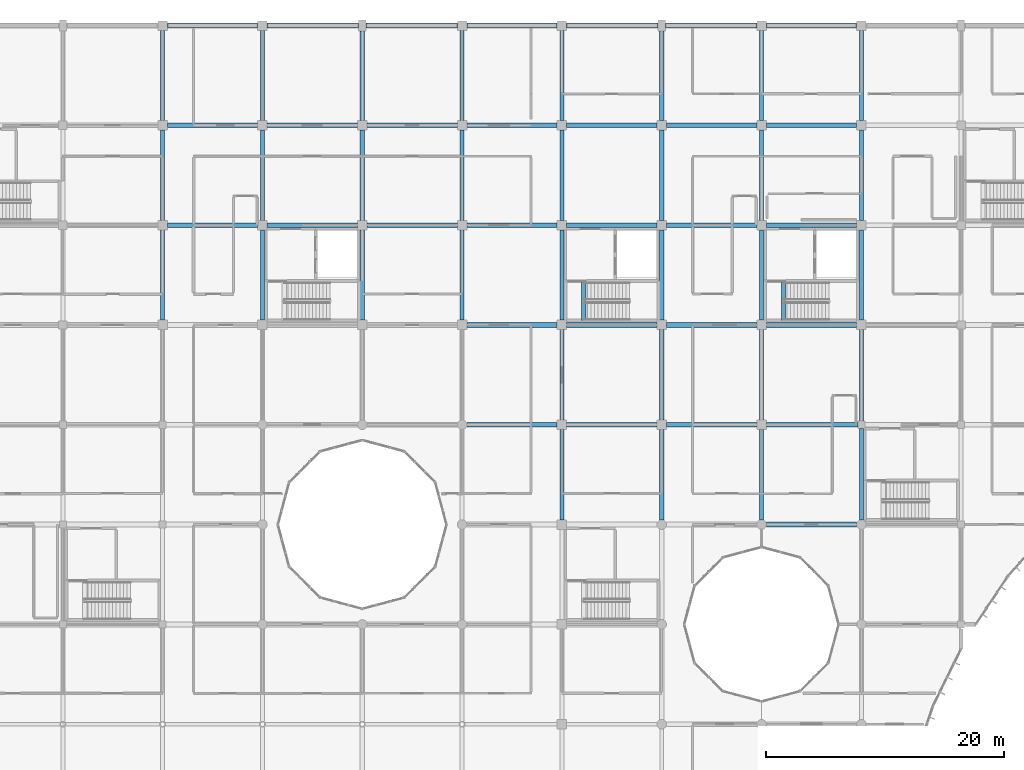
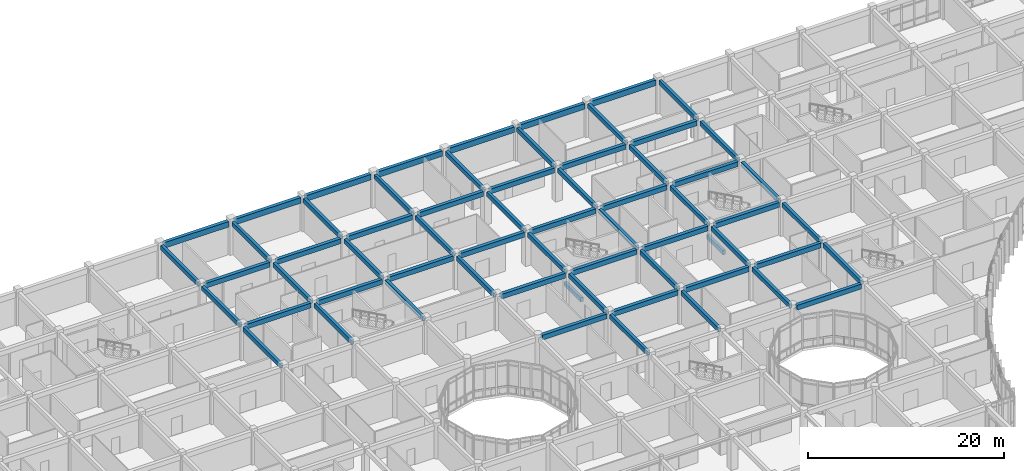
# One storey, part 56 of 144: 64 beams.
"""IFC4 building model written with IfcOpenShell, lengths in metres."""

from ifc_helpers import new_model, si_unit, direction, frame, origin, origin_2d, place, context, subcontext, project, spatial, rectangle, extrude, material, material_profile, profile_set, type_object, element, save


model = new_model("IFC4")

# Units and contexts
model_context = context("Model", 3, precision=1e-05, world=origin(), true_north=direction((0.0, 1.0)))
body_context = subcontext(model_context, "Body", "Model", "MODEL_VIEW")
ifc_project = project(units=[si_unit("LENGTHUNIT", "METRE"), si_unit("AREAUNIT", "SQUARE_METRE"), si_unit("VOLUMEUNIT", "CUBIC_METRE"), si_unit("PLANEANGLEUNIT", "RADIAN"), si_unit("MASSUNIT", "GRAM", prefix="KILO")], contexts=[model_context])

# Site, building, storey
site_placement = place(None, origin())
site = spatial("IfcSite", under=ifc_project, at=site_placement, CompositionType="ELEMENT")
building_placement = place(site_placement, origin())
building = spatial("IfcBuilding", under=site, at=building_placement, Name="Bramfleet General Hospital", CompositionType="ELEMENT")
storey_placement = place(building_placement, frame((0.0, 0.0, 4.800048828125)))
storey = spatial("IfcBuildingStorey", under=building, at=storey_placement, Name="L01", CompositionType="ELEMENT", Elevation=4.800048828125)

# Beams
ifc_material = material(Name="Concrete C35/45", Category="concrete")
ifc_material_profile_1 = material_profile(ifc_material, rectangle(XDim=0.35009765625, YDim=0.550048828125, at=origin_2d()), Name="RC BM 550x350")
ifc_profile_set_1 = profile_set([ifc_material_profile_1], Name="Concrete C35/45")
beam_type_1 = type_object("IfcBeamType", Name="BM-RC550", PredefinedType="BEAM", material=ifc_profile_set_1)
beam_1_placement = place(storey_placement, frame((67.199951171875, 92.800048828125, 3.875), z_axis=(0.0, 1.0, 0.0), x_axis=(-1.0, 0.0, 0.0)))
element("IfcBeam", 1, at=beam_1_placement, inside=storey, type_object=beam_type_1, Name="L01 Grid Beam Y 08-11", PredefinedType="BEAM", context=body_context, shape_type="SweptSolid", body=[
    extrude(rectangle(XDim=0.35009765625, YDim=0.550048828125, at=origin_2d()), origin(), (0.0, 0.0, 1.0), 7.599853515625),
])
beam_2_placement = place(storey_placement, frame((67.199951171875, 101.199951171875, 3.875), z_axis=(0.0, 1.0, 0.0), x_axis=(-1.0, 0.0, 0.0)))
element("IfcBeam", 2, at=beam_2_placement, inside=storey, type_object=beam_type_1, Name="L01 Grid Beam Y 08-12", PredefinedType="BEAM", context=body_context, shape_type="SweptSolid", body=[
    extrude(rectangle(XDim=0.35009765625, YDim=0.550048828125, at=origin_2d()), origin(), (0.0, 0.0, 1.0), 7.60009765625),
])
for number, where, z_axis, x_axis, name in (
    (3, (67.199951171875, 109.60009765625, 3.875), (0.0, 1.0, 0.0), (-1.0, 0.0, 0.0), "L01 Grid Beam Y 08-13"),
    (4, (75.60009765625, 92.800048828125, 3.875), (0.0, 1.0, 0.0), (-1.0, 0.0, 0.0), "L01 Grid Beam Y 09-11"),
):
    element("IfcBeam", number, at=place(storey_placement, frame(where, z_axis=z_axis, x_axis=x_axis)), inside=storey, type_object=beam_type_1, Name=name, PredefinedType="BEAM", context=body_context, shape_type="SweptSolid", body=[
        extrude(rectangle(XDim=0.35009765625, YDim=0.550048828125, at=origin_2d()), origin(), (0.0, 0.0, 1.0), 7.599853515625),
    ])
beam_3_placement = place(storey_placement, frame((75.60009765625, 101.199951171875, 3.875), z_axis=(0.0, 1.0, 0.0), x_axis=(-1.0, 0.0, 0.0)))
element("IfcBeam", 5, at=beam_3_placement, inside=storey, type_object=beam_type_1, Name="L01 Grid Beam Y 09-12", PredefinedType="BEAM", context=body_context, shape_type="SweptSolid", body=[
    extrude(rectangle(XDim=0.35009765625, YDim=0.550048828125, at=origin_2d()), origin(), (0.0, 0.0, 1.0), 7.60009765625),
])
for number, where, z_axis, x_axis, name in (
    (6, (75.60009765625, 109.60009765625, 3.875), (0.0, 1.0, 0.0), (-1.0, 0.0, 0.0), "L01 Grid Beam Y 09-13"),
    (7, (84.0, 92.800048828125, 3.875), (0.0, 1.0, 0.0), (-1.0, 0.0, 0.0), "L01 Grid Beam Y 10-11"),
):
    element("IfcBeam", number, at=place(storey_placement, frame(where, z_axis=z_axis, x_axis=x_axis)), inside=storey, type_object=beam_type_1, Name=name, PredefinedType="BEAM", context=body_context, shape_type="SweptSolid", body=[
        extrude(rectangle(XDim=0.35009765625, YDim=0.550048828125, at=origin_2d()), origin(), (0.0, 0.0, 1.0), 7.599853515625),
    ])
beam_4_placement = place(storey_placement, frame((84.0, 101.199951171875, 3.875), z_axis=(0.0, 1.0, 0.0), x_axis=(-1.0, 0.0, 0.0)))
element("IfcBeam", 8, at=beam_4_placement, inside=storey, type_object=beam_type_1, Name="L01 Grid Beam Y 10-12", PredefinedType="BEAM", context=body_context, shape_type="SweptSolid", body=[
    extrude(rectangle(XDim=0.35009765625, YDim=0.550048828125, at=origin_2d()), origin(), (0.0, 0.0, 1.0), 7.60009765625),
])
beam_5_placement = place(storey_placement, frame((84.0, 109.60009765625, 3.875), z_axis=(0.0, 1.0, 0.0), x_axis=(-1.0, 0.0, 0.0)))
element("IfcBeam", 9, at=beam_5_placement, inside=storey, type_object=beam_type_1, Name="L01 Grid Beam Y 10-13", PredefinedType="BEAM", context=body_context, shape_type="SweptSolid", body=[
    extrude(rectangle(XDim=0.35009765625, YDim=0.550048828125, at=origin_2d()), origin(), (0.0, 0.0, 1.0), 7.5498046875),
])
beam_6_placement = place(storey_placement, frame((92.39990234375, 92.800048828125, 3.875), z_axis=(0.0, 1.0, 0.0), x_axis=(-1.0, 0.0, 0.0)))
element("IfcBeam", 10, at=beam_6_placement, inside=storey, type_object=beam_type_1, Name="L01 Grid Beam Y 11-11", PredefinedType="BEAM", context=body_context, shape_type="SweptSolid", body=[
    extrude(rectangle(XDim=0.35009765625, YDim=0.550048828125, at=origin_2d()), origin(), (0.0, 0.0, 1.0), 7.599853515625),
])
beam_7_placement = place(storey_placement, frame((92.39990234375, 101.199951171875, 3.875), z_axis=(0.0, 1.0, 0.0), x_axis=(-1.0, 0.0, 0.0)))
element("IfcBeam", 11, at=beam_7_placement, inside=storey, type_object=beam_type_1, Name="L01 Grid Beam Y 11-12", PredefinedType="BEAM", context=body_context, shape_type="SweptSolid", body=[
    extrude(rectangle(XDim=0.35009765625, YDim=0.550048828125, at=origin_2d()), origin(), (0.0, 0.0, 1.0), 7.60009765625),
])
beam_8_placement = place(storey_placement, frame((92.39990234375, 109.60009765625, 3.875), z_axis=(0.0, 1.0, 0.0), x_axis=(-1.0, 0.0, 0.0)))
element("IfcBeam", 12, at=beam_8_placement, inside=storey, type_object=beam_type_1, Name="L01 Grid Beam Y 11-13", PredefinedType="BEAM", context=body_context, shape_type="SweptSolid", body=[
    extrude(rectangle(XDim=0.35009765625, YDim=0.550048828125, at=origin_2d()), origin(), (0.0, 0.0, 1.0), 7.599853515625),
])
for number, where, z_axis, x_axis, name in (
    (13, (100.800048828125, 76.0, 3.875), (0.0, 1.0, 0.0), (-1.0, 0.0, 0.0), "L01 Grid Beam Y 12-09"),
    (14, (100.800048828125, 84.39990234375, 3.875), (0.0, 1.0, 0.0), (-1.0, 0.0, 0.0), "L01 Grid Beam Y 12-10"),
):
    element("IfcBeam", number, at=place(storey_placement, frame(where, z_axis=z_axis, x_axis=x_axis)), inside=storey, type_object=beam_type_1, Name=name, PredefinedType="BEAM", context=body_context, shape_type="SweptSolid", body=[
        extrude(rectangle(XDim=0.35009765625, YDim=0.550048828125, at=origin_2d()), origin(), (0.0, 0.0, 1.0), 7.60009765625),
    ])
beam_9_placement = place(storey_placement, frame((100.800048828125, 92.800048828125, 3.875), z_axis=(0.0, 1.0, 0.0), x_axis=(-1.0, 0.0, 0.0)))
element("IfcBeam", 15, at=beam_9_placement, inside=storey, type_object=beam_type_1, Name="L01 Grid Beam Y 12-11", PredefinedType="BEAM", context=body_context, shape_type="SweptSolid", body=[
    extrude(rectangle(XDim=0.35009765625, YDim=0.550048828125, at=origin_2d()), origin(), (0.0, 0.0, 1.0), 7.599853515625),
])
beam_10_placement = place(storey_placement, frame((100.800048828125, 101.199951171875, 3.875), z_axis=(0.0, 1.0, 0.0), x_axis=(-1.0, 0.0, 0.0)))
element("IfcBeam", 16, at=beam_10_placement, inside=storey, type_object=beam_type_1, Name="L01 Grid Beam Y 12-12", PredefinedType="BEAM", context=body_context, shape_type="SweptSolid", body=[
    extrude(rectangle(XDim=0.35009765625, YDim=0.550048828125, at=origin_2d()), origin(), (0.0, 0.0, 1.0), 7.60009765625),
])
beam_11_placement = place(storey_placement, frame((100.800048828125, 109.60009765625, 3.875), z_axis=(0.0, 1.0, 0.0), x_axis=(-1.0, 0.0, 0.0)))
element("IfcBeam", 17, at=beam_11_placement, inside=storey, type_object=beam_type_1, Name="L01 Grid Beam Y 12-13", PredefinedType="BEAM", context=body_context, shape_type="SweptSolid", body=[
    extrude(rectangle(XDim=0.35009765625, YDim=0.550048828125, at=origin_2d()), origin(), (0.0, 0.0, 1.0), 7.599853515625),
])
for number, where, z_axis, x_axis, name in (
    (18, (109.199951171875, 76.0, 3.875), (0.0, 1.0, 0.0), (-1.0, 0.0, 0.0), "L01 Grid Beam Y 13-09"),
    (19, (109.199951171875, 84.39990234375, 3.875), (0.0, 1.0, 0.0), (-1.0, 0.0, 0.0), "L01 Grid Beam Y 13-10"),
):
    element("IfcBeam", number, at=place(storey_placement, frame(where, z_axis=z_axis, x_axis=x_axis)), inside=storey, type_object=beam_type_1, Name=name, PredefinedType="BEAM", context=body_context, shape_type="SweptSolid", body=[
        extrude(rectangle(XDim=0.35009765625, YDim=0.550048828125, at=origin_2d()), origin(), (0.0, 0.0, 1.0), 7.60009765625),
    ])
beam_12_placement = place(storey_placement, frame((109.199951171875, 92.800048828125, 3.875), z_axis=(0.0, 1.0, 0.0), x_axis=(-1.0, 0.0, 0.0)))
element("IfcBeam", 20, at=beam_12_placement, inside=storey, type_object=beam_type_1, Name="L01 Grid Beam Y 13-11", PredefinedType="BEAM", context=body_context, shape_type="SweptSolid", body=[
    extrude(rectangle(XDim=0.35009765625, YDim=0.550048828125, at=origin_2d()), origin(), (0.0, 0.0, 1.0), 7.599853515625),
])
beam_13_placement = place(storey_placement, frame((109.199951171875, 101.199951171875, 3.875), z_axis=(0.0, 1.0, 0.0), x_axis=(-1.0, 0.0, 0.0)))
element("IfcBeam", 21, at=beam_13_placement, inside=storey, type_object=beam_type_1, Name="L01 Grid Beam Y 13-12", PredefinedType="BEAM", context=body_context, shape_type="SweptSolid", body=[
    extrude(rectangle(XDim=0.35009765625, YDim=0.550048828125, at=origin_2d()), origin(), (0.0, 0.0, 1.0), 7.60009765625),
])
beam_14_placement = place(storey_placement, frame((109.199951171875, 109.60009765625, 3.875), z_axis=(0.0, 1.0, 0.0), x_axis=(-1.0, 0.0, 0.0)))
element("IfcBeam", 22, at=beam_14_placement, inside=storey, type_object=beam_type_1, Name="L01 Grid Beam Y 13-13", PredefinedType="BEAM", context=body_context, shape_type="SweptSolid", body=[
    extrude(rectangle(XDim=0.35009765625, YDim=0.550048828125, at=origin_2d()), origin(), (0.0, 0.0, 1.0), 7.5498046875),
])
for number, where, z_axis, x_axis, name in (
    (23, (117.60009765625, 76.0, 3.875), (0.0, 1.0, 0.0), (-1.0, 0.0, 0.0), "L01 Grid Beam Y 14-09"),
    (24, (117.60009765625, 84.39990234375, 3.875), (0.0, 1.0, 0.0), (-1.0, 0.0, 0.0), "L01 Grid Beam Y 14-10"),
):
    element("IfcBeam", number, at=place(storey_placement, frame(where, z_axis=z_axis, x_axis=x_axis)), inside=storey, type_object=beam_type_1, Name=name, PredefinedType="BEAM", context=body_context, shape_type="SweptSolid", body=[
        extrude(rectangle(XDim=0.35009765625, YDim=0.550048828125, at=origin_2d()), origin(), (0.0, 0.0, 1.0), 7.60009765625),
    ])
beam_15_placement = place(storey_placement, frame((117.60009765625, 92.800048828125, 3.875), z_axis=(0.0, 1.0, 0.0), x_axis=(-1.0, 0.0, 0.0)))
element("IfcBeam", 25, at=beam_15_placement, inside=storey, type_object=beam_type_1, Name="L01 Grid Beam Y 14-11", PredefinedType="BEAM", context=body_context, shape_type="SweptSolid", body=[
    extrude(rectangle(XDim=0.35009765625, YDim=0.550048828125, at=origin_2d()), origin(), (0.0, 0.0, 1.0), 7.599853515625),
])
beam_16_placement = place(storey_placement, frame((117.60009765625, 101.199951171875, 3.875), z_axis=(0.0, 1.0, 0.0), x_axis=(-1.0, 0.0, 0.0)))
element("IfcBeam", 26, at=beam_16_placement, inside=storey, type_object=beam_type_1, Name="L01 Grid Beam Y 14-12", PredefinedType="BEAM", context=body_context, shape_type="SweptSolid", body=[
    extrude(rectangle(XDim=0.35009765625, YDim=0.550048828125, at=origin_2d()), origin(), (0.0, 0.0, 1.0), 7.60009765625),
])
beam_17_placement = place(storey_placement, frame((117.60009765625, 109.60009765625, 3.875), z_axis=(0.0, 1.0, 0.0), x_axis=(-1.0, 0.0, 0.0)))
element("IfcBeam", 27, at=beam_17_placement, inside=storey, type_object=beam_type_1, Name="L01 Grid Beam Y 14-13", PredefinedType="BEAM", context=body_context, shape_type="SweptSolid", body=[
    extrude(rectangle(XDim=0.35009765625, YDim=0.550048828125, at=origin_2d()), origin(), (0.0, 0.0, 1.0), 7.599853515625),
])
for number, where, z_axis, x_axis, name in (
    (28, (126.0, 76.0, 3.875), (0.0, 1.0, 0.0), (-1.0, 0.0, 0.0), "L01 Grid Beam Y 15-09"),
    (29, (126.0, 84.300048828125, 3.875), (0.0, 1.0, 0.0), (-1.0, 0.0, 0.0), "L01 Grid Beam Y 15-10"),
):
    element("IfcBeam", number, at=place(storey_placement, frame(where, z_axis=z_axis, x_axis=x_axis)), inside=storey, type_object=beam_type_1, Name=name, PredefinedType="BEAM", context=body_context, shape_type="SweptSolid", body=[
        extrude(rectangle(XDim=0.35009765625, YDim=0.550048828125, at=origin_2d()), origin(), (0.0, 0.0, 1.0), 7.699951171875),
    ])
beam_18_placement = place(storey_placement, frame((126.0, 92.800048828125, 3.875), z_axis=(0.0, 1.0, 0.0), x_axis=(-1.0, 0.0, 0.0)))
element("IfcBeam", 30, at=beam_18_placement, inside=storey, type_object=beam_type_1, Name="L01 Grid Beam Y 15-11", PredefinedType="BEAM", context=body_context, shape_type="SweptSolid", body=[
    extrude(rectangle(XDim=0.35009765625, YDim=0.550048828125, at=origin_2d()), origin(), (0.0, 0.0, 1.0), 7.599853515625),
])
beam_19_placement = place(storey_placement, frame((126.0, 101.199951171875, 3.875), z_axis=(0.0, 1.0, 0.0), x_axis=(-1.0, 0.0, 0.0)))
element("IfcBeam", 31, at=beam_19_placement, inside=storey, type_object=beam_type_1, Name="L01 Grid Beam Y 15-12", PredefinedType="BEAM", context=body_context, shape_type="SweptSolid", body=[
    extrude(rectangle(XDim=0.35009765625, YDim=0.550048828125, at=origin_2d()), origin(), (0.0, 0.0, 1.0), 7.60009765625),
])
beam_20_placement = place(storey_placement, frame((126.0, 109.60009765625, 3.875), z_axis=(0.0, 1.0, 0.0), x_axis=(-1.0, 0.0, 0.0)))
element("IfcBeam", 32, at=beam_20_placement, inside=storey, type_object=beam_type_1, Name="L01 Grid Beam Y 15-13", PredefinedType="BEAM", context=body_context, shape_type="SweptSolid", body=[
    extrude(rectangle(XDim=0.35009765625, YDim=0.550048828125, at=origin_2d()), origin(), (0.0, 0.0, 1.0), 7.599853515625),
])
for number, where, z_axis, x_axis, name in (
    (33, (102.639892578125, 92.780029296875, -0.275146484375), (0.0, 1.0, 0.0), (-1.0, 0.0, 0.0), "L01 C4 Stairwell Trimmer Beam"),
    (34, (119.43994140625, 92.780029296875, -0.275146484375), (0.0, 1.0, 0.0), (-1.0, 0.0, 0.0), "L01 C6 Stairwell Trimmer Beam"),
):
    element("IfcBeam", number, at=place(storey_placement, frame(where, z_axis=z_axis, x_axis=x_axis)), inside=storey, type_object=beam_type_1, Name=name, PredefinedType="BEAM", context=body_context, shape_type="SweptSolid", body=[
        extrude(rectangle(XDim=0.35009765625, YDim=0.550048828125, at=origin_2d()), origin(), (0.0, 0.0, 1.0), 3.320068359375),
    ])
ifc_material_profile_2 = material_profile(ifc_material, rectangle(XDim=0.39990234375, YDim=0.60009765625, at=origin_2d()), Name="RC BM 600x400")
ifc_profile_set_2 = profile_set([ifc_material_profile_2], Name="Concrete C35/45")
beam_type_2 = type_object("IfcBeamType", Name="BM-RC600", PredefinedType="BEAM", material=ifc_profile_set_2)
for number, where, z_axis, x_axis, name in (
    (35, (67.60009765625, 100.800048828125, 3.849853515625), (1.0, 0.0, 0.0), (0.0, 1.0, 0.0), "L01 Grid Beam X 08-12"),
    (36, (67.60009765625, 109.199951171875, 3.849853515625), (1.0, 0.0, 0.0), (0.0, 1.0, 0.0), "L01 Grid Beam X 08-13"),
):
    element("IfcBeam", number, at=place(storey_placement, frame(where, z_axis=z_axis, x_axis=x_axis)), inside=storey, type_object=beam_type_2, Name=name, PredefinedType="BEAM", context=body_context, shape_type="SweptSolid", body=[
        extrude(rectangle(XDim=0.39990234375, YDim=0.60009765625, at=origin_2d()), origin(), (0.0, 0.0, 1.0), 7.599853515625),
    ])
for number, where, z_axis, x_axis, name in (
    (37, (76.0, 100.800048828125, 3.849853515625), (1.0, 0.0, 0.0), (0.0, 1.0, 0.0), "L01 Grid Beam X 09-12"),
    (38, (76.0, 109.199951171875, 3.849853515625), (1.0, 0.0, 0.0), (0.0, 1.0, 0.0), "L01 Grid Beam X 09-13"),
    (39, (84.39990234375, 100.800048828125, 3.849853515625), (1.0, 0.0, 0.0), (0.0, 1.0, 0.0), "L01 Grid Beam X 10-12"),
    (40, (84.39990234375, 109.199951171875, 3.849853515625), (1.0, 0.0, 0.0), (0.0, 1.0, 0.0), "L01 Grid Beam X 10-13"),
):
    element("IfcBeam", number, at=place(storey_placement, frame(where, z_axis=z_axis, x_axis=x_axis)), inside=storey, type_object=beam_type_2, Name=name, PredefinedType="BEAM", context=body_context, shape_type="SweptSolid", body=[
        extrude(rectangle(XDim=0.39990234375, YDim=0.60009765625, at=origin_2d()), origin(), (0.0, 0.0, 1.0), 7.60009765625),
    ])
for number, where, z_axis, x_axis, name in (
    (41, (92.800048828125, 84.0, 3.849853515625), (1.0, 0.0, 0.0), (0.0, 1.0, 0.0), "L01 Grid Beam X 11-10"),
    (42, (92.800048828125, 92.39990234375, 3.849853515625), (1.0, 0.0, 0.0), (0.0, 1.0, 0.0), "L01 Grid Beam X 11-11"),
    (43, (92.800048828125, 100.800048828125, 3.849853515625), (1.0, 0.0, 0.0), (0.0, 1.0, 0.0), "L01 Grid Beam X 11-12"),
    (44, (92.800048828125, 109.199951171875, 3.849853515625), (1.0, 0.0, 0.0), (0.0, 1.0, 0.0), "L01 Grid Beam X 11-13"),
):
    element("IfcBeam", number, at=place(storey_placement, frame(where, z_axis=z_axis, x_axis=x_axis)), inside=storey, type_object=beam_type_2, Name=name, PredefinedType="BEAM", context=body_context, shape_type="SweptSolid", body=[
        extrude(rectangle(XDim=0.39990234375, YDim=0.60009765625, at=origin_2d()), origin(), (0.0, 0.0, 1.0), 7.599853515625),
    ])
for number, where, z_axis, x_axis, name in (
    (45, (101.199951171875, 84.0, 3.849853515625), (1.0, 0.0, 0.0), (0.0, 1.0, 0.0), "L01 Grid Beam X 12-10"),
    (46, (101.199951171875, 92.39990234375, 3.849853515625), (1.0, 0.0, 0.0), (0.0, 1.0, 0.0), "L01 Grid Beam X 12-11"),
    (47, (101.199951171875, 100.800048828125, 3.849853515625), (1.0, 0.0, 0.0), (0.0, 1.0, 0.0), "L01 Grid Beam X 12-12"),
    (48, (101.199951171875, 109.199951171875, 3.849853515625), (1.0, 0.0, 0.0), (0.0, 1.0, 0.0), "L01 Grid Beam X 12-13"),
):
    element("IfcBeam", number, at=place(storey_placement, frame(where, z_axis=z_axis, x_axis=x_axis)), inside=storey, type_object=beam_type_2, Name=name, PredefinedType="BEAM", context=body_context, shape_type="SweptSolid", body=[
        extrude(rectangle(XDim=0.39990234375, YDim=0.60009765625, at=origin_2d()), origin(), (0.0, 0.0, 1.0), 7.60009765625),
    ])
for number, where, z_axis, x_axis, name in (
    (49, (109.60009765625, 84.0, 3.849853515625), (1.0, 0.0, 0.0), (0.0, 1.0, 0.0), "L01 Grid Beam X 13-10"),
    (50, (109.60009765625, 92.39990234375, 3.849853515625), (1.0, 0.0, 0.0), (0.0, 1.0, 0.0), "L01 Grid Beam X 13-11"),
    (51, (109.60009765625, 100.800048828125, 3.849853515625), (1.0, 0.0, 0.0), (0.0, 1.0, 0.0), "L01 Grid Beam X 13-12"),
    (52, (109.60009765625, 109.199951171875, 3.849853515625), (1.0, 0.0, 0.0), (0.0, 1.0, 0.0), "L01 Grid Beam X 13-13"),
):
    element("IfcBeam", number, at=place(storey_placement, frame(where, z_axis=z_axis, x_axis=x_axis)), inside=storey, type_object=beam_type_2, Name=name, PredefinedType="BEAM", context=body_context, shape_type="SweptSolid", body=[
        extrude(rectangle(XDim=0.39990234375, YDim=0.60009765625, at=origin_2d()), origin(), (0.0, 0.0, 1.0), 7.599853515625),
    ])
beam_21_placement = place(storey_placement, frame((118.0, 75.60009765625, 3.849853515625), z_axis=(1.0, 0.0, 0.0), x_axis=(0.0, 1.0, 0.0)))
element("IfcBeam", 53, at=beam_21_placement, inside=storey, type_object=beam_type_2, Name="L01 Grid Beam X 14-09", PredefinedType="BEAM", context=body_context, shape_type="SweptSolid", body=[
    extrude(rectangle(XDim=0.39990234375, YDim=0.60009765625, at=origin_2d()), origin(), (0.0, 0.0, 1.0), 7.60009765625),
])
beam_22_placement = place(storey_placement, frame((118.0, 84.0, 3.849853515625), z_axis=(1.0, 0.0, 0.0), x_axis=(0.0, 1.0, 0.0)))
element("IfcBeam", 54, at=beam_22_placement, inside=storey, type_object=beam_type_2, Name="L01 Grid Beam X 14-10", PredefinedType="BEAM", context=body_context, shape_type="SweptSolid", body=[
    extrude(rectangle(XDim=0.39990234375, YDim=0.60009765625, at=origin_2d()), origin(), (0.0, 0.0, 1.0), 7.699951171875),
])
for number, where, z_axis, x_axis, name in (
    (55, (118.0, 92.39990234375, 3.849853515625), (1.0, 0.0, 0.0), (0.0, 1.0, 0.0), "L01 Grid Beam X 14-11"),
    (56, (118.0, 100.800048828125, 3.849853515625), (1.0, 0.0, 0.0), (0.0, 1.0, 0.0), "L01 Grid Beam X 14-12"),
    (57, (118.0, 109.199951171875, 3.849853515625), (1.0, 0.0, 0.0), (0.0, 1.0, 0.0), "L01 Grid Beam X 14-13"),
):
    element("IfcBeam", number, at=place(storey_placement, frame(where, z_axis=z_axis, x_axis=x_axis)), inside=storey, type_object=beam_type_2, Name=name, PredefinedType="BEAM", context=body_context, shape_type="SweptSolid", body=[
        extrude(rectangle(XDim=0.39990234375, YDim=0.60009765625, at=origin_2d()), origin(), (0.0, 0.0, 1.0), 7.60009765625),
    ])
ifc_material_profile_3 = material_profile(ifc_material, rectangle(XDim=0.39990234375, YDim=0.699951171875, at=origin_2d()), Name="RC SP 700x400")
ifc_profile_set_3 = profile_set([ifc_material_profile_3], Name="Concrete C35/45")
beam_type_3 = type_object("IfcBeamType", Name="BM-SP700", PredefinedType="SPANDREL", material=ifc_profile_set_3)
beam_23_placement = place(storey_placement, frame((67.60009765625, 117.60009765625, 3.800048828125), z_axis=(1.0, 0.0, 0.0), x_axis=(0.0, 1.0, 0.0)))
element("IfcBeam", 58, at=beam_23_placement, inside=storey, type_object=beam_type_3, Name="L01 Grid Beam X 08-14", PredefinedType="SPANDREL", context=body_context, shape_type="SweptSolid", body=[
    extrude(rectangle(XDim=0.39990234375, YDim=0.699951171875, at=origin_2d()), origin(), (0.0, 0.0, 1.0), 7.599853515625),
])
for number, where, z_axis, x_axis, name in (
    (59, (76.0, 117.60009765625, 3.800048828125), (1.0, 0.0, 0.0), (0.0, 1.0, 0.0), "L01 Grid Beam X 09-14"),
    (60, (84.300048828125, 117.60009765625, 3.800048828125), (1.0, 0.0, 0.0), (0.0, 1.0, 0.0), "L01 Grid Beam X 10-14"),
):
    element("IfcBeam", number, at=place(storey_placement, frame(where, z_axis=z_axis, x_axis=x_axis)), inside=storey, type_object=beam_type_3, Name=name, PredefinedType="SPANDREL", context=body_context, shape_type="SweptSolid", body=[
        extrude(rectangle(XDim=0.39990234375, YDim=0.699951171875, at=origin_2d()), origin(), (0.0, 0.0, 1.0), 7.699951171875),
    ])
beam_24_placement = place(storey_placement, frame((92.800048828125, 117.60009765625, 3.800048828125), z_axis=(1.0, 0.0, 0.0), x_axis=(0.0, 1.0, 0.0)))
element("IfcBeam", 61, at=beam_24_placement, inside=storey, type_object=beam_type_3, Name="L01 Grid Beam X 11-14", PredefinedType="SPANDREL", context=body_context, shape_type="SweptSolid", body=[
    extrude(rectangle(XDim=0.39990234375, YDim=0.699951171875, at=origin_2d()), origin(), (0.0, 0.0, 1.0), 7.599853515625),
])
for number, where, z_axis, x_axis, name in (
    (62, (101.199951171875, 117.60009765625, 3.800048828125), (1.0, 0.0, 0.0), (0.0, 1.0, 0.0), "L01 Grid Beam X 12-14"),
    (63, (109.5, 117.60009765625, 3.800048828125), (1.0, 0.0, 0.0), (0.0, 1.0, 0.0), "L01 Grid Beam X 13-14"),
):
    element("IfcBeam", number, at=place(storey_placement, frame(where, z_axis=z_axis, x_axis=x_axis)), inside=storey, type_object=beam_type_3, Name=name, PredefinedType="SPANDREL", context=body_context, shape_type="SweptSolid", body=[
        extrude(rectangle(XDim=0.39990234375, YDim=0.699951171875, at=origin_2d()), origin(), (0.0, 0.0, 1.0), 7.699951171875),
    ])
beam_25_placement = place(storey_placement, frame((118.0, 117.60009765625, 3.800048828125), z_axis=(1.0, 0.0, 0.0), x_axis=(0.0, 1.0, 0.0)))
element("IfcBeam", 64, at=beam_25_placement, inside=storey, type_object=beam_type_3, Name="L01 Grid Beam X 14-14", PredefinedType="SPANDREL", context=body_context, shape_type="SweptSolid", body=[
    extrude(rectangle(XDim=0.39990234375, YDim=0.699951171875, at=origin_2d()), origin(), (0.0, 0.0, 1.0), 7.60009765625),
])

save(model, "model.ifc")
